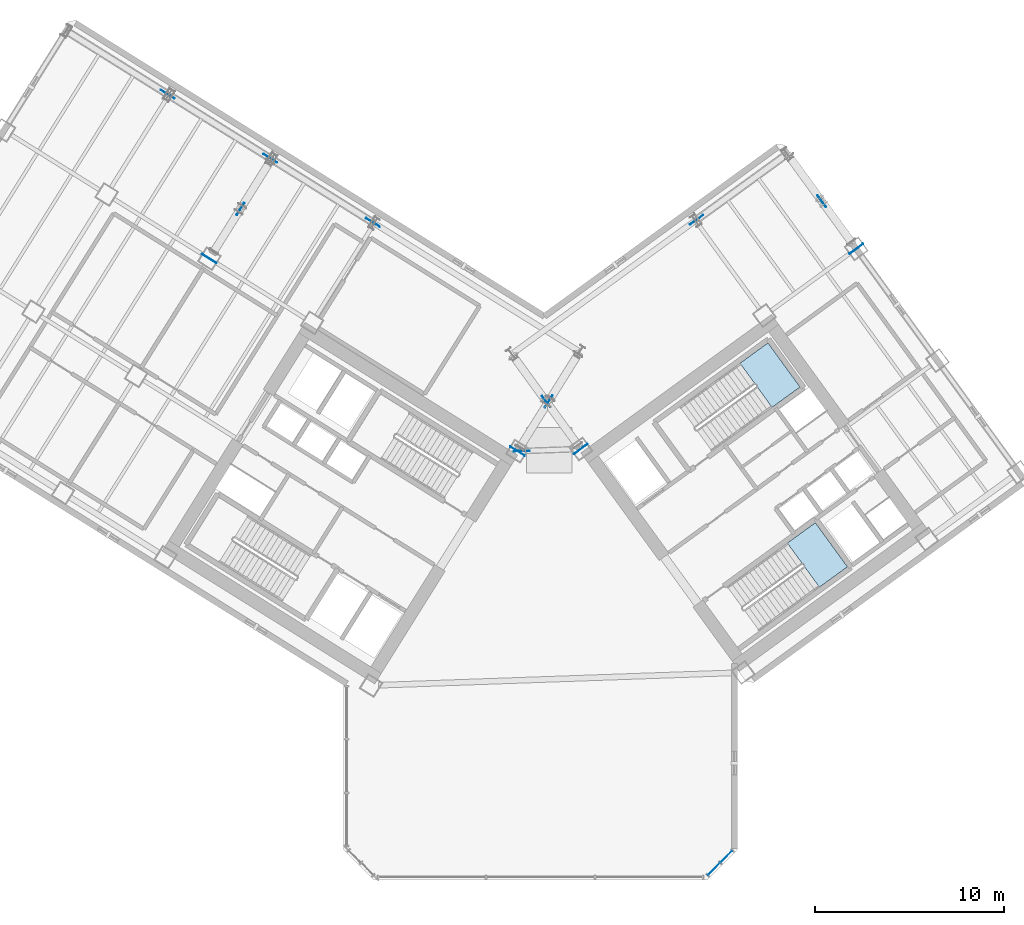
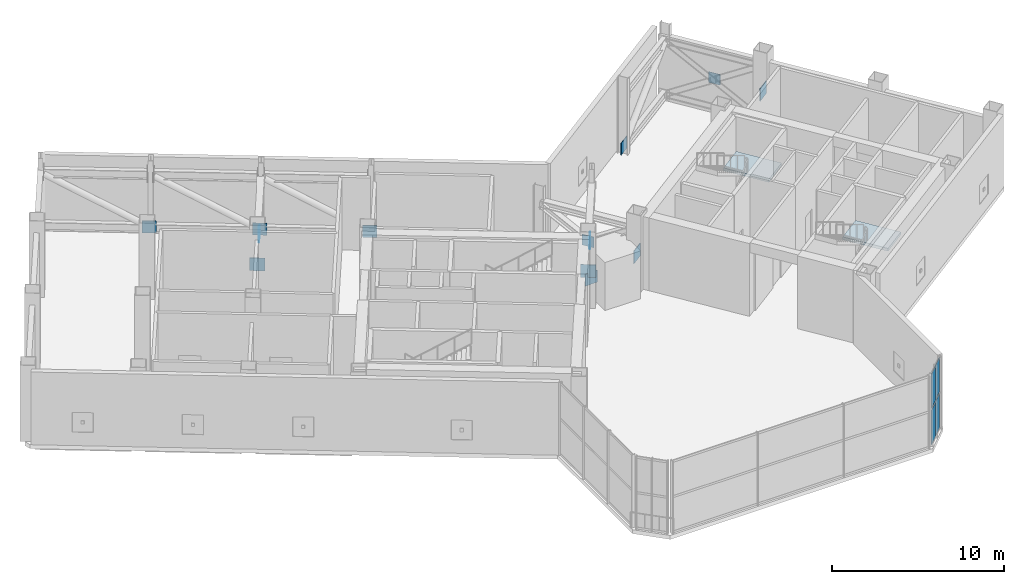
# One storey, part 10 of 21: 17 plates, 2 slabs, 3 elements without a shape of their own.
"""IFC4 building model written with IfcOpenShell, lengths in metres."""

import ifcopenshell
import ifcopenshell.guid

model = None  # the IFC model being written
_history = None  # IfcOwnerHistory: only IFC2X3 demands one
_inside = {}  # id of a spatial element -> (the spatial element, [elements in it])
_under = {}  # id of a project, library or spatial element -> (it, [spatial elements below it])
_declared = {}  # id of a project -> (the project, [libraries it declares])
_typed = {}  # id of a type object -> (the type object, [elements of that type])
_made_of = {}  # id of a material, layer set ... -> (it, [elements and type objects made of it])


def new_model(schema):
    """Start an empty IFC model of exactly this schema.

    Asked for "IFC4X3", IfcOpenShell would pick the latest addendum, in which some entities
    have other attributes; the version numbers below select the first issue.
    IFC2X3 requires an IfcOwnerHistory on every rooted entity: one is made here for all.
    """
    global model, _history
    if schema == "IFC4X3":
        model = ifcopenshell.file(schema_version=(4, 3, 0, 0))
    else:
        model = ifcopenshell.file(schema=schema)
    _inside.clear()
    _under.clear()
    _declared.clear()
    _typed.clear()
    _made_of.clear()
    _history = None
    if model.schema == "IFC2X3":
        org = make("IfcOrganization", Name="unknown")
        user = make(
            "IfcPersonAndOrganization",
            ThePerson=make("IfcPerson", FamilyName="unknown"),
            TheOrganization=org,
        )
        app = make(
            "IfcApplication",
            ApplicationDeveloper=org,
            Version="unknown",
            ApplicationFullName="unknown",
            ApplicationIdentifier="unknown",
        )
        _history = make(
            "IfcOwnerHistory",
            OwningUser=user,
            OwningApplication=app,
            ChangeAction="ADDED",
            CreationDate=0,
        )
    return model


def make(cls, **values):
    """One entity of the class cls with the attributes given. An attribute that is None is left unset."""
    return model.create_entity(
        cls, **{name: value for name, value in values.items() if value is not None}
    )


def rooted(cls, **values):
    """An entity with a GlobalId (a new one), such as an element, a storey or a relation."""
    return make(cls, GlobalId=ifcopenshell.guid.new(), OwnerHistory=_history, **values)


def si_unit(unit_type, name, prefix=None):
    """IfcSIUnit, for example si_unit("LENGTHUNIT", "METRE", prefix="MILLI")."""
    return make("IfcSIUnit", UnitType=unit_type, Prefix=prefix, Name=name)


def assignment(units):
    """IfcUnitAssignment: the units of a project."""
    return None if units is None else make("IfcUnitAssignment", Units=units)


def point(xyz):
    """IfcCartesianPoint."""
    return None if xyz is None else make("IfcCartesianPoint", Coordinates=xyz)


def direction(xyz):
    """IfcDirection."""
    return None if xyz is None else make("IfcDirection", DirectionRatios=xyz)


def frame(location, z_axis=None, x_axis=None):
    """IfcAxis2Placement3D, a coordinate frame: its origin and axes. An axis left out is left unset."""
    return make(
        "IfcAxis2Placement3D",
        Location=point(location),
        Axis=direction(z_axis),
        RefDirection=direction(x_axis),
    )


def frame_2d(location, x_axis=None):
    """IfcAxis2Placement2D, a coordinate frame in the plane: its origin and x axis."""
    return make(
        "IfcAxis2Placement2D", Location=point(location), RefDirection=direction(x_axis)
    )


def origin():
    """The frame at (0, 0, 0) with its axes left unset."""
    return frame((0.0, 0.0, 0.0))


def origin_2d():
    """The frame at (0, 0) in the plane with its x axis left unset."""
    return frame_2d((0.0, 0.0))


def place(relative_to, where):
    """IfcLocalPlacement: puts the frame where relative to a parent placement (None: the world)."""
    return make(
        "IfcLocalPlacement", PlacementRelTo=relative_to, RelativePlacement=where
    )


def context(
    kind, dimensions, precision=None, world=None, true_north=None, identifier=None
):
    """IfcGeometricRepresentationContext, for example the 3D "Model" context."""
    return make(
        "IfcGeometricRepresentationContext",
        ContextIdentifier=identifier,
        ContextType=kind,
        CoordinateSpaceDimension=dimensions,
        Precision=precision,
        WorldCoordinateSystem=world,
        TrueNorth=true_north,
    )


def subcontext(parent, identifier, kind, view, scale=None):
    """IfcGeometricRepresentationSubContext, for example "Body" below "Model"."""
    return make(
        "IfcGeometricRepresentationSubContext",
        ContextIdentifier=identifier,
        ContextType=kind,
        ParentContext=parent,
        TargetScale=scale,
        TargetView=view,
    )


def project(units=None, contexts=None):
    """IfcProject with its units and contexts."""
    return rooted(
        "IfcProject",
        Name="project",
        RepresentationContexts=contexts,
        UnitsInContext=assignment(units),
    )


def spatial(cls, under=None, at=None, **own):
    """A site, building, storey or space (cls), placed at a placement, below another one or the project."""
    s = rooted(cls, ObjectPlacement=at, **own)
    if under is not None:
        _under.setdefault(under.id(), (under, []))[1].append(s)
    return s


def polyline(points):
    """IfcPolyline through the points."""
    return make("IfcPolyline", Points=[point(p) for p in points])


def profile(cls, at=None, kind="AREA", **sizes):
    """A parametric profile (cls). Its sizes go by their IFC names, for example OverallWidth=200.0."""
    return make(cls, ProfileType=kind, Position=at, **sizes)


def rectangle(**sizes):
    """IfcRectangleProfileDef."""
    return profile("IfcRectangleProfileDef", **sizes)


def outline(outer, holes=None, kind="AREA"):
    """IfcArbitraryClosedProfileDef: a profile drawn as a closed curve; with holes, ...WithVoids."""
    if holes is None:
        return make("IfcArbitraryClosedProfileDef", ProfileType=kind, OuterCurve=outer)
    return make(
        "IfcArbitraryProfileDefWithVoids",
        ProfileType=kind,
        OuterCurve=outer,
        InnerCurves=holes,
    )


def extrude(swept, where, along, depth):
    """IfcExtrudedAreaSolid: the profile swept, set in the frame where, extruded along a direction by depth."""
    return make(
        "IfcExtrudedAreaSolid",
        SweptArea=swept,
        Position=where,
        ExtrudedDirection=direction(along),
        Depth=depth,
    )


def shape(context_of_items, identifier, shape_type, items):
    """IfcShapeRepresentation: the items that make up one representation, for example the "Body"."""
    return make(
        "IfcShapeRepresentation",
        ContextOfItems=context_of_items,
        RepresentationIdentifier=identifier,
        RepresentationType=shape_type,
        Items=items,
    )


def source(mapping_origin, context_of_items, identifier, shape_type, items):
    """IfcRepresentationMap: a shape defined once, which mapped items show again and again."""
    return make(
        "IfcRepresentationMap",
        MappingOrigin=mapping_origin,
        MappedRepresentation=shape(context_of_items, identifier, shape_type, items),
    )


def transform(
    local_origin,
    x_axis=None,
    y_axis=None,
    z_axis=None,
    scale=None,
    scale2=None,
    scale3=None,
    uniform=True,
):
    """IfcCartesianTransformationOperator3D, or its non-uniform kind. x_axis, y_axis, z_axis: its Axis1, 2, 3."""
    if uniform:
        return make(
            "IfcCartesianTransformationOperator3D",
            Axis1=direction(x_axis),
            Axis2=direction(y_axis),
            LocalOrigin=point(local_origin),
            Scale=scale,
            Axis3=direction(z_axis),
        )
    return make(
        "IfcCartesianTransformationOperator3DnonUniform",
        Axis1=direction(x_axis),
        Axis2=direction(y_axis),
        LocalOrigin=point(local_origin),
        Scale=scale,
        Axis3=direction(z_axis),
        Scale2=scale2,
        Scale3=scale3,
    )


def mapped(mapping_source, mapping_target):
    """IfcMappedItem: shows the shape of a source again, moved by a transform."""
    return make(
        "IfcMappedItem", MappingSource=mapping_source, MappingTarget=mapping_target
    )


def material(Name=None, Category=None):
    """IfcMaterial."""
    return make("IfcMaterial", Name=Name, Category=Category)


def layer(
    of_material, thickness, ventilated=None, Name=None, Category=None, Priority=None
):
    """IfcMaterialLayer: one layer of a wall or slab, of a material (None: an air gap)."""
    return make(
        "IfcMaterialLayer",
        Material=of_material,
        LayerThickness=thickness,
        IsVentilated=ventilated,
        Name=Name,
        Category=Category,
        Priority=Priority,
    )


def layer_set(layers, Name=None):
    """IfcMaterialLayerSet."""
    return make("IfcMaterialLayerSet", MaterialLayers=layers, LayerSetName=Name)


def made_of(thing, what):
    """Note that an element or type object is made of a material, layer set ...; save() writes the relation."""
    if what is not None:
        _made_of.setdefault(what.id(), (what, []))[1].append(thing)
    return thing


def type_object(cls, material=None, **own):
    """A type object (cls), such as IfcWallType, which elements share."""
    return made_of(rooted(cls, **own), material)


def element(
    cls,
    number,
    at=None,
    inside=None,
    cuts=None,
    type_object=None,
    material=None,
    context=None,
    identifier="Body",
    shape_type=None,
    held_by="IfcProductDefinitionShape",
    body=None,
    shapes=None,
    **own,
):
    """One element of the class cls, such as IfcWall. Its Tag is "e" and its number.

    at: its placement. inside: the storey or other place that contains it. cuts: it is an
    opening in that element (IfcRelVoidsElement). A single representation is given by context,
    identifier, shape_type and body (its items); several are given by shapes. held_by: the class
    of the entity that holds the representations. save() writes the other relations.
    """
    e = rooted(cls, Tag="e%d" % number, ObjectPlacement=at, **own)
    if body is not None:
        shapes = [shape(context, identifier, shape_type, body)]
    if shapes is not None:
        e.Representation = make(held_by, Representations=shapes)
    if inside is not None:
        _inside.setdefault(inside.id(), (inside, []))[1].append(e)
    if cuts is not None:
        rooted(
            "IfcRelVoidsElement", RelatingBuildingElement=cuts, RelatedOpeningElement=e
        )
    if type_object is not None:
        _typed.setdefault(type_object.id(), (type_object, []))[1].append(e)
    return made_of(e, material)


def aggregate(whole, parts):
    """IfcRelAggregates: a whole, such as a stair, and the parts it consists of."""
    return rooted("IfcRelAggregates", RelatingObject=whole, RelatedObjects=parts)


def save(model, path):
    """Write the relations noted so far, then the file.

    IfcRelAggregates (storeys below a building ...), IfcRelContainedInSpatialStructure (elements
    in a storey), IfcRelDefinesByType, IfcRelAssociatesMaterial and IfcRelDeclares: one each for
    every whole, place, type object, material and project.
    """
    for whole, parts in _under.values():
        aggregate(whole, parts)
    for where, things in _inside.values():
        rooted(
            "IfcRelContainedInSpatialStructure",
            RelatedElements=things,
            RelatingStructure=where,
        )
    for kind, things in _typed.values():
        rooted("IfcRelDefinesByType", RelatedObjects=things, RelatingType=kind)
    for what, things in _made_of.values():
        rooted("IfcRelAssociatesMaterial", RelatedObjects=things, RelatingMaterial=what)
    for by, libraries in _declared.values():
        rooted("IfcRelDeclares", RelatingContext=by, RelatedDefinitions=libraries)
    model.write(path)


model = new_model("IFC4")

# Units and contexts
model_context = context("Model", 3, precision=1e-05, world=origin(), true_north=direction((0.0, 1.0)))
body_context = subcontext(model_context, "Body", "Model", "MODEL_VIEW")
ifc_project = project(units=[si_unit("LENGTHUNIT", "METRE"), si_unit("AREAUNIT", "SQUARE_METRE"), si_unit("VOLUMEUNIT", "CUBIC_METRE"), si_unit("PLANEANGLEUNIT", "RADIAN"), si_unit("MASSUNIT", "GRAM", prefix="KILO")], contexts=[model_context])

# Site, building, storey
site_placement = place(None, origin())
site = spatial("IfcSite", under=ifc_project, at=site_placement, CompositionType="ELEMENT")
building_placement = place(site_placement, origin())
building = spatial("IfcBuilding", under=site, at=building_placement, Name="Tlacorven Tower", CompositionType="ELEMENT")
storey_placement = place(building_placement, frame((0.0, 0.0, 84.60009765625)))
storey = spatial("IfcBuildingStorey", under=building, at=storey_placement, Name="L21", CompositionType="ELEMENT", Elevation=84.60009765625)

# Stair, slab
ifc_material_1 = material(Name="Concrete C40/50", Category="concrete")
stair_type = type_object("IfcStairType", Name="ST-CORE-DLG", PredefinedType="HALF_TURN_STAIR", material=ifc_material_1)
stair_1_placement = place(storey_placement, origin())
stair_1 = element("IfcStair", 1, at=stair_1_placement, inside=storey, type_object=stair_type, Name="L21 Protected Exit Stair East 1", PredefinedType="HALF_TURN_STAIR")
ifc_layer_1 = layer(ifc_material_1, 0.199951171875)
ifc_layer_set_1 = layer_set([ifc_layer_1], Name="Concrete C40/50")
slab_type = type_object("IfcSlabType", Name="SL-LND-200", PredefinedType="LANDING", material=ifc_layer_set_1)
slab_1_placement = place(storey_placement, frame((0.0, 0.0, 2.5)))
slab_1 = element("IfcSlab", 2, at=slab_1_placement, type_object=slab_type, Name="ST-E1 landing 1", PredefinedType="LANDING", context=body_context, shape_type="SweptSolid", body=[
    extrude(outline(polyline([(54.230224609375, 26.785888671875), (55.7109375, 27.861572265625), (54.01806640625, 30.19140625), (52.53759765625, 29.11572265625), (54.230224609375, 26.785888671875)])), origin(), (0.0, 0.0, 1.0), 0.199951171875),
])
aggregate(stair_1, [slab_1])

stair_2_placement = place(storey_placement, origin())
stair_2 = element("IfcStair", 3, at=stair_2_placement, inside=storey, type_object=stair_type, Name="L21 Protected Exit Stair East 2", PredefinedType="HALF_TURN_STAIR")
slab_2_placement = place(storey_placement, frame((0.0, 0.0, 2.5)))
slab_2 = element("IfcSlab", 4, at=slab_2_placement, type_object=slab_type, Name="ST-E2 landing 1", PredefinedType="LANDING", context=body_context, shape_type="SweptSolid", body=[
    extrude(outline(polyline([(56.734375, 17.28271484375), (58.21484375, 18.3583984375), (56.52197265625, 20.6884765625), (55.04150390625, 19.61279296875), (56.734375, 17.28271484375)])), origin(), (0.0, 0.0, 1.0), 0.199951171875),
])
aggregate(stair_2, [slab_2])

# Plates
ifc_material_2 = material(Name="Steel S460M", Category="steel")
ifc_layer_2 = layer(ifc_material_2, 0.0400390625)
ifc_layer_set_2 = layer_set([ifc_layer_2], Name="Steel S460M")
plate_type_1 = type_object("IfcPlateType", Name="PL-NODE-ON1", PredefinedType="SHEET", material=ifc_layer_set_2)
shared_shape_1 = source(origin(), body_context, "Body", "SweptSolid", [
    extrude(rectangle(XDim=0.75, YDim=0.0400390625, at=origin_2d()), origin(), (0.0, 0.0, 1.0), 0.75),
])
for number, where, z_axis, x_axis, name in (
    (5, (42.42578125, 27.097412109375, 1.96484375), (0.0, 0.0, 1.0), (-0.529919264233, -0.848048096156, 0.0), "L21 Outrigger X-Brace Crossing Gusset Plate W1"),
    (6, (26.14306640625, 37.271728515625, 1.96484375), (0.0, 0.0, 1.0), (-0.529919264233, -0.848048096156, 0.0), "L21 Outrigger X-Brace Crossing Gusset Plate W2"),
    (7, (42.301513671875, 27.093017578125, 1.96484375), (0.0, 0.0, 1.0), (-0.587785252292, 0.809016994375, 0.0), "L21 Outrigger X-Brace Crossing Gusset Plate E1"),
    (8, (56.864013671875, 37.673095703125, 1.96484375), (0.0, 0.0, 1.0), (-0.587785252292, 0.809016994375, 0.0), "L21 Outrigger X-Brace Crossing Gusset Plate E2"),
):
    element("IfcPlate", number, at=place(storey_placement, frame(where, z_axis=z_axis, x_axis=x_axis)), inside=storey, type_object=plate_type_1, Name=name, PredefinedType="SHEET", context=body_context, shape_type="MappedRepresentation", body=[
        mapped(shared_shape_1, transform((0.0, 0.0, 0.0), scale=1.0)),
    ])
shared_shape_2 = source(origin(), body_context, "Body", "SweptSolid", [
    extrude(rectangle(XDim=0.89990234375, YDim=0.0400390625, at=origin_2d()), origin(), (0.0, 0.0, 1.0), 0.89990234375),
])
for number, where, z_axis, x_axis, name in (
    (9, (40.782958984375, 24.468505859375, 1.889892578125), (0.0, 0.0, 1.0), (-0.848048096156, 0.529919264233, 0.0), "L21 Outrigger Embedded Core Gusset Node Plate ON1"),
    (10, (24.50048828125, 34.642822265625, 1.889892578125), (0.0, 0.0, 1.0), (-0.848048096156, 0.529919264233, 0.0), "L21 Outrigger Embedded Core Gusset Node Plate ON1"),
    (11, (44.123779296875, 24.5849609375, 1.889892578125), (0.0, 0.0, 1.0), (0.809016994375, 0.587785252292, 0.0), "L21 Outrigger Embedded Core Gusset Node Plate ON1"),
    (12, (58.68603515625, 35.165283203125, 1.889892578125), (0.0, 0.0, 1.0), (0.809016994375, 0.587785252292, 0.0), "L21 Outrigger Embedded Core Gusset Node Plate ON1"),
):
    element("IfcPlate", number, at=place(storey_placement, frame(where, z_axis=z_axis, x_axis=x_axis)), inside=storey, type_object=plate_type_1, Name=name, PredefinedType="SHEET", context=body_context, shape_type="MappedRepresentation", body=[
        mapped(shared_shape_2, transform((0.0, 0.0, 0.0), scale=1.0)),
    ])
ifc_layer_3 = layer(ifc_material_2, 0.035888671875)
ifc_layer_set_3 = layer_set([ifc_layer_3], Name="Steel S460M")
plate_type_2 = type_object("IfcPlateType", Name="PL-NODE-BN1", PredefinedType="SHEET", material=ifc_layer_set_3)
shared_shape_3 = source(origin(), body_context, "Body", "SweptSolid", [
    extrude(rectangle(XDim=0.85009765625, YDim=0.035888671875, at=origin_2d()), origin(), (0.0, 0.0, 1.0), 0.85009765625),
])
for number, where, z_axis, x_axis, name in (
    (13, (33.14599609375, 36.551513671875, 0.07177734375), (0.0, 0.0, 1.0), (-0.848048018873, 0.529919387912, 0.0), "L21 structural node gusset plate BLT-L21-W1-D1"),
    (14, (27.718505859375, 39.94287109375, 0.07177734375), (0.0, 0.0, 1.0), (-0.848048018873, 0.529919387912, 0.0), "L21 structural node gusset plate BLT-L21-W2-D1"),
    (15, (22.290771484375, 43.33447265625, 0.07177734375), (0.0, 0.0, 1.0), (-0.848048018873, 0.529919387912, 0.0), "L21 structural node gusset plate BLT-L21-W3-D1"),
    (16, (50.2509765625, 36.700439453125, 0.07421875), (0.0, 0.0, 1.0), (0.809016912294, 0.587785365267, 0.0), "L21 structural node gusset plate BLT-L21-E1-D1"),
):
    element("IfcPlate", number, at=place(storey_placement, frame(where, z_axis=z_axis, x_axis=x_axis)), inside=storey, type_object=plate_type_2, Name=name, PredefinedType="SHEET", context=body_context, shape_type="MappedRepresentation", body=[
        mapped(shared_shape_3, transform((0.0, 0.0, 0.0), scale=1.0)),
    ])
ifc_material_3 = material(Name="Steel S355J2", Category="steel")
ifc_layer_4 = layer(ifc_material_3, 0.02587890625)
ifc_layer_set_4 = layer_set([ifc_layer_4], Name="Steel S355J2")
plate_type_3 = type_object("IfcPlateType", Name="PL-NODE-TN1", PredefinedType="SHEET", material=ifc_layer_set_4)
shared_shape_4 = source(origin(), body_context, "Body", "SweptSolid", [
    extrude(rectangle(XDim=0.85009765625, YDim=0.02587890625, at=origin_2d()), origin(), (0.0, 0.0, 1.0), 0.85009765625),
])
plate_1_placement = place(storey_placement, frame((40.997802734375, 24.475830078125, 1.324951171875), z_axis=(0.0, 0.0, 1.0), x_axis=(0.999390832067, 0.034899352155, 0.0)))
element("IfcPlate", 17, at=plate_1_placement, inside=storey, type_object=plate_type_3, Name="L21 structural node gusset plate TRB-L21-RING", PredefinedType="SHEET", context=body_context, shape_type="MappedRepresentation", body=[
    mapped(shared_shape_4, transform((0.0, 0.0, 0.0), scale=1.0)),
])

# Curtain wall, plates
ifc_material_4 = material(Name="Dark solar low-E double glazing in aluminium frame", Category="aluminium")
curtain_wall_type = type_object("IfcCurtainWallType", Name="CW-TWR-LOW", PredefinedType="USERDEFINED", material=ifc_material_4)
curtain_wall_placement = place(storey_placement, origin())
curtain_wall = element("IfcCurtainWall", 18, at=curtain_wall_placement, inside=storey, type_object=curtain_wall_type, Name="L21 CW-TWR-LOW Curtain Wall 111", ObjectType="UNITISED CURTAIN WALL", PredefinedType="USERDEFINED")
ifc_material_5 = material(Name="Dark solar double low-E glazing", Category="glass")
ifc_layer_5 = layer(ifc_material_5, 0.031982421875)
ifc_layer_set_5 = layer_set([ifc_layer_5], Name="Dark solar double low-E glazing")
plate_type_4 = type_object("IfcPlateType", Name="CWP-02", PredefinedType="CURTAIN_PANEL", material=ifc_layer_set_5)
shared_shape_5 = source(origin(), body_context, "Body", "SweptSolid", [
    extrude(rectangle(XDim=0.878173828125, YDim=0.031982421875, at=origin_2d()), origin(), (0.0, 0.0, 1.0), 2.452880859375),
])
plate_2_placement = place(storey_placement, frame((51.815673828125, 3.0419921875, 0.06103515625), z_axis=(0.0, 0.0, 1.0), x_axis=(-0.707106781187, -0.707106781187, 0.0)))
plate_2 = element("IfcPlate", 19, at=plate_2_placement, type_object=plate_type_4, Name="CW-L21-111 Glazing Panel 1", PredefinedType="CURTAIN_PANEL", context=body_context, shape_type="MappedRepresentation", body=[
    mapped(shared_shape_5, transform((0.0, 0.0, 0.0), scale=1.0)),
])
plate_3_placement = place(storey_placement, frame((51.815673828125, 3.0419921875, 2.6357421875), z_axis=(0.0, 0.0, 1.0), x_axis=(-0.707106781187, -0.707106781187, 0.0)))
plate_3 = element("IfcPlate", 20, at=plate_3_placement, type_object=plate_type_4, Name="CW-L21-111 Glazing Panel 2", PredefinedType="CURTAIN_PANEL", context=body_context, shape_type="MappedRepresentation", body=[
    mapped(shared_shape_5, transform((0.0, 0.0, 0.0), scale=1.0)),
])
plate_4_placement = place(storey_placement, frame((51.157958984375, 2.38427734375, 0.06103515625), z_axis=(0.0, 0.0, 1.0), x_axis=(-0.707106781187, -0.707106781187, 0.0)))
plate_4 = element("IfcPlate", 21, at=plate_4_placement, type_object=plate_type_4, Name="CW-L21-111 Glazing Panel 3", PredefinedType="CURTAIN_PANEL", context=body_context, shape_type="MappedRepresentation", body=[
    mapped(shared_shape_5, transform((0.0, 0.0, 0.0), scale=1.0)),
])
plate_5_placement = place(storey_placement, frame((51.157958984375, 2.38427734375, 2.6357421875), z_axis=(0.0, 0.0, 1.0), x_axis=(-0.707106781187, -0.707106781187, 0.0)))
plate_5 = element("IfcPlate", 22, at=plate_5_placement, type_object=plate_type_4, Name="CW-L21-111 Glazing Panel 4", PredefinedType="CURTAIN_PANEL", context=body_context, shape_type="MappedRepresentation", body=[
    mapped(shared_shape_5, transform((0.0, 0.0, 0.0), scale=1.0)),
])
aggregate(curtain_wall, [plate_2, plate_3, plate_4, plate_5])

save(model, "model.ifc")
